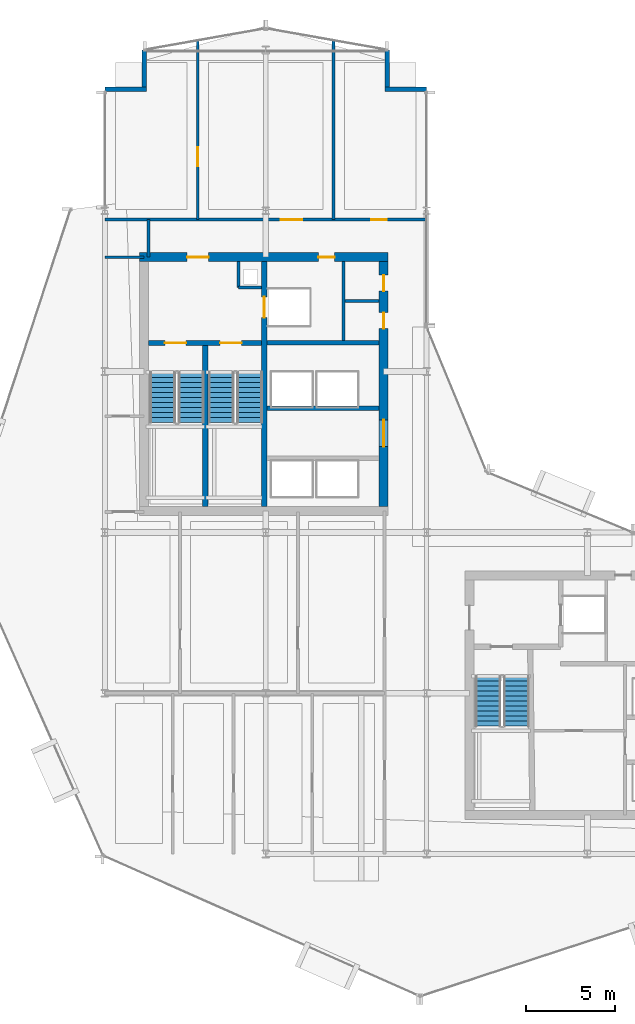
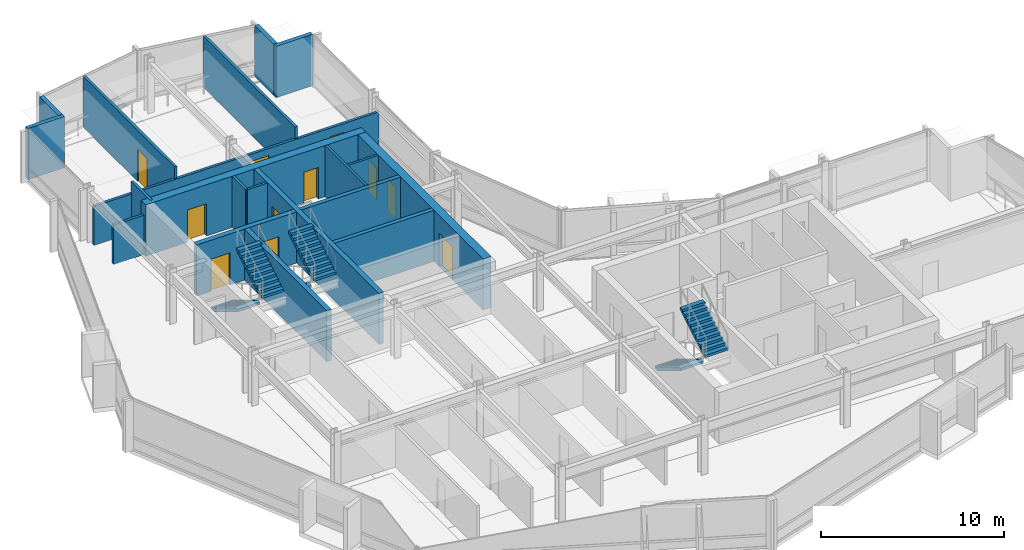
# One storey, part 23 of 28: 20 walls, 11 doors, 6 stair flights, 11 openings, 3 elements without a shape of their own.
"""IFC4 building model written with IfcOpenShell, lengths in metres."""

from ifc_helpers import new_model, si_unit, direction, frame, frame_2d, origin, place, context, subcontext, project, spatial, polyline, rectangle, outline, extrude, material, layer, layer_set, type_object, element, fill, aggregate, save


model = new_model("IFC4")

# Units and contexts
model_context = context("Model", 3, precision=1e-05, world=origin(), true_north=direction((0.0, 1.0)))
body_context = subcontext(model_context, "Body", "Model", "MODEL_VIEW")
ifc_project = project(units=[si_unit("LENGTHUNIT", "METRE"), si_unit("AREAUNIT", "SQUARE_METRE"), si_unit("VOLUMEUNIT", "CUBIC_METRE"), si_unit("PLANEANGLEUNIT", "RADIAN"), si_unit("MASSUNIT", "GRAM", prefix="KILO")], contexts=[model_context])

# Site, building, storey
site_placement = place(None, origin())
site = spatial("IfcSite", under=ifc_project, at=site_placement, CompositionType="ELEMENT")
building_placement = place(site_placement, origin())
building = spatial("IfcBuilding", under=site, at=building_placement, Name="Solvaryn Broadcast Tower", CompositionType="ELEMENT")
storey_placement = place(building_placement, frame((0.0, 0.0, 158.10009765625)))
storey = spatial("IfcBuildingStorey", under=building, at=storey_placement, Name="L39", CompositionType="ELEMENT", Elevation=158.10009765625)

# Wall, openings, doors
ifc_material_1 = material(Name="Concrete f'c 70 MPa", Category="concrete")
ifc_layer_1 = layer(ifc_material_1, 0.5)
ifc_layer_set_1 = layer_set([ifc_layer_1], Name="CW-SHEAR-500")
wall_type_1 = type_object("IfcWallType", Name="CW-SHEAR-500", PredefinedType="SHEAR", material=ifc_layer_set_1)
wall_1_placement = place(storey_placement, frame((24.85009765625, 42.39990234375, 0.0), z_axis=(0.0, 0.0, 1.0), x_axis=(-1.0, 0.0, 0.0)))
wall_1 = element("IfcWall", 1, at=wall_1_placement, inside=storey, type_object=wall_type_1, Name="L39 West Core North Shear Wall", PredefinedType="SHEAR", context=body_context, shape_type="SweptSolid", body=[
    extrude(rectangle(XDim=13.900146484375, YDim=0.5, at=frame_2d((6.9501953125, 0.0))), origin(), (0.0, 0.0, 1.0), 3.419921875),
])
opening_1_placement = place(wall_1_placement, frame((10.050048828125, 0.0, 0.0)))
opening_1 = element("IfcOpeningElement", 2, at=opening_1_placement, cuts=wall_1, Name="Opening FD90A", PredefinedType="OPENING", context=body_context, shape_type="SweptSolid", body=[
    extrude(rectangle(XDim=1.199951171875, YDim=2.14990234375, at=frame_2d((0.60009765625, 1.074951171875))), frame((0.0, 0.260009765625, 0.0), z_axis=(0.0, -1.0, 0.0), x_axis=(1.0, 0.0, 0.0)), (0.0, 0.0, 1.0), 0.52001953125),
])
opening_2_placement = place(wall_1_placement, frame((3.0, 0.0, 0.0)))
opening_2 = element("IfcOpeningElement", 3, at=opening_2_placement, cuts=wall_1, Name="Opening FD60C", PredefinedType="OPENING", context=body_context, shape_type="SweptSolid", body=[
    extrude(rectangle(XDim=0.89990234375, YDim=2.10009765625, at=frame_2d((0.449951171875, 1.050048828125))), frame((0.0, 0.260009765625, 0.0), z_axis=(0.0, -1.0, 0.0), x_axis=(1.0, 0.0, 0.0)), (0.0, 0.0, 1.0), 0.52001953125),
])
ifc_material_2 = material(Name="Flush Acoustic Steel and Timber Door Assembly", Category="steel")
door_type_1 = type_object("IfcDoorType", Name="FD60-SERV-900X2100", OperationType="NOTDEFINED", PredefinedType="DOOR", material=ifc_material_2)
door_1_placement = place(opening_2_placement, origin())
door_1 = element("IfcDoor", 4, at=door_1_placement, inside=storey, type_object=door_type_1, Name="L39 West Core Fiber Riser Door", OperationType="SINGLE_SWING_RIGHT", OverallHeight=2.10009765625, OverallWidth=0.89990234375, PredefinedType="DOOR", context=body_context, shape_type="SweptSolid", body=[
    extrude(rectangle(XDim=0.89990234375, YDim=2.10009765625, at=frame_2d((0.449951171875, 1.050048828125))), frame((0.0, 0.02490234375, 0.0), z_axis=(0.0, -1.0, 0.0), x_axis=(1.0, 0.0, 0.0)), (0.0, 0.0, 1.0), 0.050048828125),
])
fill(opening_2, door_1)
ifc_material_3 = material(Name="Flush Acoustic Steel and Timber Door Assembly", Category="steel")
door_type_2 = type_object("IfcDoorType", Name="FD90-STAIR-1200X2150", OperationType="NOTDEFINED", PredefinedType="DOOR", material=ifc_material_3)
door_2_placement = place(opening_1_placement, origin())
door_2 = element("IfcDoor", 5, at=door_2_placement, inside=storey, type_object=door_type_2, Name="L39 West FSAE Lobby Corridor Door", OperationType="SINGLE_SWING_LEFT", OverallHeight=2.14990234375, OverallWidth=1.199951171875, PredefinedType="DOOR", context=body_context, shape_type="SweptSolid", body=[
    extrude(rectangle(XDim=1.199951171875, YDim=2.14990234375, at=frame_2d((0.60009765625, 1.074951171875))), frame((0.0, 0.02490234375, 0.0), z_axis=(0.0, -1.0, 0.0), x_axis=(1.0, 0.0, 0.0)), (0.0, 0.0, 1.0), 0.050048828125),
])
fill(opening_1, door_2)

wall_2_placement = place(storey_placement, frame((24.60009765625, 28.449951171875, 0.0), z_axis=(0.0, 0.0, 1.0), x_axis=(0.0, 1.0, 0.0)))
wall_2 = element("IfcWall", 6, at=wall_2_placement, inside=storey, type_object=wall_type_1, Name="L39 West Core East Shear Wall", PredefinedType="SHEAR", context=body_context, shape_type="SweptSolid", body=[
    extrude(rectangle(XDim=13.699951171875, YDim=0.5, at=frame_2d((6.85009765625, 0.0))), origin(), (0.0, 0.0, 1.0), 3.419921875),
])
opening_3_placement = place(wall_2_placement, frame((3.35009765625, 0.0, 0.0)))
opening_3 = element("IfcOpeningElement", 7, at=opening_3_placement, cuts=wall_2, Name="Opening FD60A", PredefinedType="OPENING", context=body_context, shape_type="SweptSolid", body=[
    extrude(rectangle(XDim=1.5, YDim=2.199951171875, at=frame_2d((0.75, 1.10009765625))), frame((0.0, 0.260009765625, 0.0), z_axis=(0.0, -1.0, 0.0), x_axis=(1.0, 0.0, 0.0)), (0.0, 0.0, 1.0), 0.52001953125),
])
opening_4_placement = place(wall_2_placement, frame((9.949951171875, 0.0, 0.0)))
opening_4 = element("IfcOpeningElement", 8, at=opening_4_placement, cuts=wall_2, Name="Opening FD60C", PredefinedType="OPENING", context=body_context, shape_type="SweptSolid", body=[
    extrude(rectangle(XDim=0.89990234375, YDim=2.10009765625, at=frame_2d((0.449951171875, 1.050048828125))), frame((0.0, 0.260009765625, 0.0), z_axis=(0.0, -1.0, 0.0), x_axis=(1.0, 0.0, 0.0)), (0.0, 0.0, 1.0), 0.52001953125),
])
opening_5_placement = place(wall_2_placement, frame((12.050048828125, 0.0, 0.0)))
opening_5 = element("IfcOpeningElement", 9, at=opening_5_placement, cuts=wall_2, Name="Opening FD60C", PredefinedType="OPENING", context=body_context, shape_type="SweptSolid", body=[
    extrude(rectangle(XDim=0.89990234375, YDim=2.10009765625, at=frame_2d((0.449951171875, 1.050048828125))), frame((0.0, 0.260009765625, 0.0), z_axis=(0.0, -1.0, 0.0), x_axis=(1.0, 0.0, 0.0)), (0.0, 0.0, 1.0), 0.52001953125),
])
ifc_material_4 = material(Name="Flush Acoustic Steel and Timber Door Assembly", Category="steel")
door_type_3 = type_object("IfcDoorType", Name="FD60-CORR-1500X2200", OperationType="NOTDEFINED", PredefinedType="DOOR", material=ifc_material_4)
door_3_placement = place(opening_3_placement, origin())
door_3 = element("IfcDoor", 10, at=door_3_placement, inside=storey, type_object=door_type_3, Name="L39 West Elevator Lobby Corridor Door", OperationType="DOUBLE_DOOR_SINGLE_SWING", OverallHeight=2.199951171875, OverallWidth=1.5, PredefinedType="DOOR", context=body_context, shape_type="SweptSolid", body=[
    extrude(rectangle(XDim=1.5, YDim=2.199951171875, at=frame_2d((0.75, 1.10009765625))), frame((0.0, 0.02490234375, 0.0), z_axis=(0.0, -1.0, 0.0), x_axis=(1.0, 0.0, 0.0)), (0.0, 0.0, 1.0), 0.050048828125),
])
fill(opening_3, door_3)
door_4_placement = place(opening_4_placement, origin())
door_4 = element("IfcDoor", 11, at=door_4_placement, inside=storey, type_object=door_type_1, Name="L39 West Core Service Door 1", OperationType="SINGLE_SWING_LEFT", OverallHeight=2.10009765625, OverallWidth=0.89990234375, PredefinedType="DOOR", context=body_context, shape_type="SweptSolid", body=[
    extrude(rectangle(XDim=0.89990234375, YDim=2.10009765625, at=frame_2d((0.449951171875, 1.050048828125))), frame((0.0, 0.02490234375, 0.0), z_axis=(0.0, -1.0, 0.0), x_axis=(1.0, 0.0, 0.0)), (0.0, 0.0, 1.0), 0.050048828125),
])
fill(opening_4, door_4)
door_5_placement = place(opening_5_placement, origin())
door_5 = element("IfcDoor", 12, at=door_5_placement, inside=storey, type_object=door_type_1, Name="L39 West Core Janitor Door", OperationType="SINGLE_SWING_RIGHT", OverallHeight=2.10009765625, OverallWidth=0.89990234375, PredefinedType="DOOR", context=body_context, shape_type="SweptSolid", body=[
    extrude(rectangle(XDim=0.89990234375, YDim=2.10009765625, at=frame_2d((0.449951171875, 1.050048828125))), frame((0.0, 0.02490234375, 0.0), z_axis=(0.0, -1.0, 0.0), x_axis=(1.0, 0.0, 0.0)), (0.0, 0.0, 1.0), 0.050048828125),
])
fill(opening_5, door_5)

# Walls
ifc_material_5 = material(Name="Concrete f'c 50 MPa", Category="concrete")
ifc_layer_2 = layer(ifc_material_5, 0.260009765625)
ifc_layer_set_2 = layer_set([ifc_layer_2], Name="EW-PIER-260")
wall_type_2 = type_object("IfcWallType", Name="EW-PIER-260", PredefinedType="SOLIDWALL", material=ifc_layer_set_2)
wall_3_placement = place(storey_placement, frame((9.0, 51.800048828125, 0.0), z_axis=(0.0, 0.0, 1.0), x_axis=(1.0, 0.0, 0.0)))
element("IfcWall", 13, at=wall_3_placement, inside=storey, type_object=wall_type_2, Name="L39 Notched Corner Pier Wall NNW1", PredefinedType="SOLIDWALL", context=body_context, shape_type="SweptSolid", body=[
    extrude(rectangle(XDim=2.320068359375, YDim=0.260009765625, at=frame_2d((1.16015625, 0.0))), origin(), (0.0, 0.0, 1.0), 3.419921875),
])
for number, where, z_axis, x_axis, name in (
    (14, (11.199951171875, 51.919921875, 0.0), (0.0, 0.0, 1.0), (0.0, 1.0, 0.0), "L39 Notched Corner Pier Wall NNW2"),
    (15, (24.800048828125, 54.0, 0.0), (0.0, 0.0, 1.0), (0.0, -1.0, 0.0), "L39 Notched Corner Pier Wall NNE1"),
):
    element("IfcWall", number, at=place(storey_placement, frame(where, z_axis=z_axis, x_axis=x_axis)), inside=storey, type_object=wall_type_2, Name=name, PredefinedType="SOLIDWALL", context=body_context, shape_type="SweptSolid", body=[
        extrude(rectangle(XDim=2.080078125, YDim=0.260009765625, at=frame_2d((1.0400390625, 0.0))), origin(), (0.0, 0.0, 1.0), 3.419921875),
    ])
wall_4_placement = place(storey_placement, frame((24.679931640625, 51.800048828125, 0.0), z_axis=(0.0, 0.0, 1.0), x_axis=(1.0, 0.0, 0.0)))
element("IfcWall", 16, at=wall_4_placement, inside=storey, type_object=wall_type_2, Name="L39 Notched Corner Pier Wall NNE2", PredefinedType="SOLIDWALL", context=body_context, shape_type="SweptSolid", body=[
    extrude(rectangle(XDim=2.320068359375, YDim=0.260009765625, at=frame_2d((1.16015625, 0.0))), origin(), (0.0, 0.0, 1.0), 3.419921875),
])
ifc_material_6 = material(Name="Metal-Stud Service Core Partition")
ifc_layer_3 = layer(ifc_material_6, 0.14990234375)
ifc_layer_set_3 = layer_set([ifc_layer_3], Name="IW-PART-150")
wall_type_3 = type_object("IfcWallType", Name="IW-PART-150", PredefinedType="PARTITIONING", material=ifc_layer_set_3)
wall_5_placement = place(storey_placement, frame((16.47998046875, 40.699951171875, 0.0), z_axis=(0.0, 0.0, 1.0), x_axis=(1.0, 0.0, 0.0)))
element("IfcWall", 17, at=wall_5_placement, inside=storey, type_object=wall_type_3, Name="L39 West Core Riser Shaft South Wall", PredefinedType="PARTITIONING", context=body_context, shape_type="SweptSolid", body=[
    extrude(rectangle(XDim=1.2900390625, YDim=0.14990234375, at=frame_2d((0.64501953125, 0.0))), origin(), (0.0, 0.0, 1.0), 3.419921875),
])
wall_6_placement = place(storey_placement, frame((16.47998046875, 40.699951171875, 0.0), z_axis=(0.0, 0.0, 1.0), x_axis=(0.0, 1.0, 0.0)))
element("IfcWall", 18, at=wall_6_placement, inside=storey, type_object=wall_type_3, Name="L39 West Core Riser Shaft West Wall", PredefinedType="PARTITIONING", context=body_context, shape_type="SweptSolid", body=[
    extrude(rectangle(XDim=1.449951171875, YDim=0.14990234375, at=frame_2d((0.72509765625, 0.0))), origin(), (0.0, 0.0, 1.0), 3.419921875),
])
wall_7_placement = place(storey_placement, frame((22.35009765625, 37.72998046875, 0.0), z_axis=(0.0, 0.0, 1.0), x_axis=(0.0, 1.0, 0.0)))
element("IfcWall", 19, at=wall_7_placement, inside=storey, type_object=wall_type_3, Name="L39 Interior Partition IW-L39-CWS-V", PredefinedType="PARTITIONING", context=body_context, shape_type="SweptSolid", body=[
    extrude(rectangle(XDim=4.419921875, YDim=0.14990234375, at=frame_2d((2.2099609375, 0.0))), origin(), (0.0, 0.0, 1.0), 3.419921875),
])
wall_8_placement = place(storey_placement, frame((22.429931640625, 39.949951171875, 0.0), z_axis=(0.0, 0.0, 1.0), x_axis=(1.0, 0.0, 0.0)))
element("IfcWall", 20, at=wall_8_placement, inside=storey, type_object=wall_type_3, Name="L39 Interior Partition IW-L39-CWS-H", PredefinedType="PARTITIONING", context=body_context, shape_type="SweptSolid", body=[
    extrude(rectangle(XDim=1.920166015625, YDim=0.14990234375, at=frame_2d((0.9599609375, 0.0))), origin(), (0.0, 0.0, 1.0), 3.419921875),
])
ifc_material_7 = material(Name="Metal-Stud Gypsum Office Partition")
ifc_layer_4 = layer(ifc_material_7, 0.159912109375)
ifc_layer_set_4 = layer_set([ifc_layer_4], Name="IW-PART-160")
wall_type_4 = type_object("IfcWallType", Name="IW-PART-160", PredefinedType="PARTITIONING", material=ifc_layer_set_4)
wall_9_placement = place(storey_placement, frame((9.0, 42.39990234375, 0.0), z_axis=(0.0, 0.0, 1.0), x_axis=(1.0, 0.0, 0.0)))
element("IfcWall", 21, at=wall_9_placement, inside=storey, type_object=wall_type_4, Name="L39 Interior Partition IW-L39-WM-N", PredefinedType="PARTITIONING", context=body_context, shape_type="SweptSolid", body=[
    extrude(rectangle(XDim=2.199951171875, YDim=0.159912109375, at=frame_2d((1.10009765625, 0.0))), origin(), (0.0, 0.0, 1.0), 2.6337890625),
])
wall_10_placement = place(storey_placement, frame((11.449951171875, 42.39990234375, 0.0), z_axis=(0.0, 0.0, 1.0), x_axis=(0.0, 1.0, 0.0)))
element("IfcWall", 22, at=wall_10_placement, inside=storey, type_object=wall_type_4, Name="L39 Interior Partition IW-L39-WM-E", PredefinedType="PARTITIONING", context=body_context, shape_type="SweptSolid", body=[
    extrude(rectangle(XDim=2.10009765625, YDim=0.159912109375, at=frame_2d((1.050048828125, 0.0))), origin(), (0.0, 0.0, 1.0), 3.419921875),
])

# Wall, openings, doors
wall_11_placement = place(storey_placement, frame((9.0, 44.5, 0.0), z_axis=(0.0, 0.0, 1.0), x_axis=(1.0, 0.0, 0.0)))
wall_11 = element("IfcWall", 23, at=wall_11_placement, inside=storey, type_object=wall_type_4, Name="L39 Interior Partition IW-L39-NW-SB", PredefinedType="PARTITIONING", context=body_context, shape_type="SweptSolid", body=[
    extrude(rectangle(XDim=18.0, YDim=0.159912109375, at=frame_2d((9.0, 0.0))), origin(), (0.0, 0.0, 1.0), 2.6337890625),
])
opening_6_placement = place(wall_11_placement, frame((9.85009765625, 0.0, 0.0)))
opening_6 = element("IfcOpeningElement", 24, at=opening_6_placement, cuts=wall_11, Name="Opening ID04", PredefinedType="OPENING", context=body_context, shape_type="SweptSolid", body=[
    extrude(rectangle(XDim=1.199951171875, YDim=2.14990234375, at=frame_2d((0.60009765625, 1.074951171875))), frame((0.0, 0.090087890625, 0.0), z_axis=(0.0, -1.0, 0.0), x_axis=(1.0, 0.0, 0.0)), (0.0, 0.0, 1.0), 0.179931640625),
])
opening_7_placement = place(wall_11_placement, frame((14.89990234375, 0.0, 0.0)))
opening_7 = element("IfcOpeningElement", 25, at=opening_7_placement, cuts=wall_11, Name="Opening ID07", PredefinedType="OPENING", context=body_context, shape_type="SweptSolid", body=[
    extrude(rectangle(XDim=0.860107421875, YDim=2.050048828125, at=frame_2d((0.43017578125, 1.02490234375))), frame((0.0, 0.090087890625, 0.0), z_axis=(0.0, -1.0, 0.0), x_axis=(1.0, 0.0, 0.0)), (0.0, 0.0, 1.0), 0.179931640625),
])
ifc_material_8 = material(Name="Flush Acoustic Steel and Timber Door Assembly", Category="steel")
door_type_4 = type_object("IfcDoorType", Name="ID-04-1200X2150", OperationType="NOTDEFINED", PredefinedType="DOOR", material=ifc_material_8)
door_6_placement = place(opening_6_placement, origin())
door_6 = element("IfcDoor", 26, at=door_6_placement, inside=storey, type_object=door_type_4, Name="L39 Door DR-L39-NW-2", OperationType="SINGLE_SWING_RIGHT", OverallHeight=2.14990234375, OverallWidth=1.199951171875, PredefinedType="DOOR", context=body_context, shape_type="SweptSolid", body=[
    extrude(rectangle(XDim=1.199951171875, YDim=2.14990234375, at=frame_2d((0.60009765625, 1.074951171875))), frame((0.0, 0.02490234375, 0.0), z_axis=(0.0, -1.0, 0.0), x_axis=(1.0, 0.0, 0.0)), (0.0, 0.0, 1.0), 0.050048828125),
])
fill(opening_6, door_6)
ifc_material_9 = material(Name="Flush Acoustic Steel and Timber Door Assembly", Category="steel")
door_type_5 = type_object("IfcDoorType", Name="ID-07-860X2050", OperationType="NOTDEFINED", PredefinedType="DOOR", material=ifc_material_9)
door_7_placement = place(opening_7_placement, origin())
door_7 = element("IfcDoor", 27, at=door_7_placement, inside=storey, type_object=door_type_5, Name="L39 Door DR-L39-NW-3", OperationType="SINGLE_SWING_LEFT", OverallHeight=2.050048828125, OverallWidth=0.860107421875, PredefinedType="DOOR", context=body_context, shape_type="SweptSolid", body=[
    extrude(rectangle(XDim=0.860107421875, YDim=2.050048828125, at=frame_2d((0.43017578125, 1.02490234375))), frame((0.0, 0.02490234375, 0.0), z_axis=(0.0, -1.0, 0.0), x_axis=(1.0, 0.0, 0.0)), (0.0, 0.0, 1.0), 0.050048828125),
])
fill(opening_7, door_7)

# Wall, opening, door
wall_12_placement = place(storey_placement, frame((14.199951171875, 44.5, 0.0), z_axis=(0.0, 0.0, 1.0), x_axis=(0.0, 1.0, 0.0)))
wall_12 = element("IfcWall", 28, at=wall_12_placement, inside=storey, type_object=wall_type_4, Name="L39 Interior Partition IW-L39-NW-V1", PredefinedType="PARTITIONING", context=body_context, shape_type="SweptSolid", body=[
    extrude(rectangle(XDim=10.029052734375, YDim=0.159912109375, at=frame_2d((5.0146484375, 0.0))), origin(), (0.0, 0.0, 1.0), 3.419921875),
])
opening_8_placement = place(wall_12_placement, frame((3.0, 0.0, 0.0)))
opening_8 = element("IfcOpeningElement", 29, at=opening_8_placement, cuts=wall_12, Name="Opening ID03", PredefinedType="OPENING", context=body_context, shape_type="SweptSolid", body=[
    extrude(rectangle(XDim=1.050048828125, YDim=2.14990234375, at=frame_2d((0.52490234375, 1.074951171875))), frame((0.0, 0.090087890625, 0.0), z_axis=(0.0, -1.0, 0.0), x_axis=(1.0, 0.0, 0.0)), (0.0, 0.0, 1.0), 0.179931640625),
])
ifc_material_10 = material(Name="Flush Acoustic Steel and Timber Door Assembly", Category="steel")
door_type_6 = type_object("IfcDoorType", Name="ID-03-1050X2150", OperationType="NOTDEFINED", PredefinedType="DOOR", material=ifc_material_10)
door_8_placement = place(opening_8_placement, origin())
door_8 = element("IfcDoor", 30, at=door_8_placement, inside=storey, type_object=door_type_6, Name="L39 Door DR-L39-NW-C1", OperationType="SINGLE_SWING_LEFT", OverallHeight=2.14990234375, OverallWidth=1.050048828125, PredefinedType="DOOR", context=body_context, shape_type="SweptSolid", body=[
    extrude(rectangle(XDim=1.050048828125, YDim=2.14990234375, at=frame_2d((0.52490234375, 1.074951171875))), frame((0.0, 0.02490234375, 0.0), z_axis=(0.0, -1.0, 0.0), x_axis=(1.0, 0.0, 0.0)), (0.0, 0.0, 1.0), 0.050048828125),
])
fill(opening_8, door_8)

# Walls
wall_13_placement = place(storey_placement, frame((21.800048828125, 44.5, 0.0), z_axis=(0.0, 0.0, 1.0), x_axis=(0.0, 1.0, 0.0)))
element("IfcWall", 31, at=wall_13_placement, inside=storey, type_object=wall_type_4, Name="L39 Interior Partition IW-L39-NW-V2", PredefinedType="PARTITIONING", context=body_context, shape_type="SweptSolid", body=[
    extrude(rectangle(XDim=10.029052734375, YDim=0.159912109375, at=frame_2d((5.0146484375, 0.0))), origin(), (0.0, 0.0, 1.0), 3.419921875),
])
ifc_material_11 = material(Name="Concrete f'c 60 MPa", Category="concrete")
ifc_layer_5 = layer(ifc_material_11, 0.25)
ifc_layer_set_5 = layer_set([ifc_layer_5], Name="SW-SHAFT-250")
wall_type_5 = type_object("IfcWallType", Name="SW-SHAFT-250", PredefinedType="PARTITIONING", material=ifc_layer_set_5)
for number, where, z_axis, x_axis, name in (
    (32, (18.070068359375, 37.60009765625, 0.0), (0.0, 0.0, 1.0), (1.0, 0.0, 0.0), "L39 West Core FSAE Hoistway Front Wall"),
    (33, (24.35009765625, 33.949951171875, 0.0), (0.0, 0.0, 1.0), (-1.0, 0.0, 0.0), "L39 High-Rise Lift Bank North Wall"),
):
    element("IfcWall", number, at=place(storey_placement, frame(where, z_axis=z_axis, x_axis=x_axis)), inside=storey, type_object=wall_type_5, Name=name, PredefinedType="PARTITIONING", context=body_context, shape_type="SweptSolid", body=[
        extrude(rectangle(XDim=6.280029296875, YDim=0.25, at=frame_2d((3.14013671875, 0.0))), origin(), (0.0, 0.0, 1.0), 3.419921875),
    ])
ifc_material_12 = material(Name="Concrete f'c 70 MPa", Category="concrete")
ifc_layer_6 = layer(ifc_material_12, 0.300048828125)
ifc_layer_set_6 = layer_set([ifc_layer_6], Name="SW-SHAFT-300")
wall_type_6 = type_object("IfcWallType", Name="SW-SHAFT-300", PredefinedType="SHEAR", material=ifc_layer_set_6)
wall_14_placement = place(storey_placement, frame((14.6201171875, 28.449951171875, 0.0), z_axis=(0.0, 0.0, 1.0), x_axis=(0.0, 1.0, 0.0)))
element("IfcWall", 34, at=wall_14_placement, inside=storey, type_object=wall_type_6, Name="L39 Stair 1-2 Dividing Wall", PredefinedType="SHEAR", context=body_context, shape_type="SweptSolid", body=[
    extrude(rectangle(XDim=9.0, YDim=0.300048828125, at=frame_2d((4.5, 0.0))), origin(), (0.0, 0.0, 1.0), 3.419921875),
])

# Wall, opening, door
wall_15_placement = place(storey_placement, frame((17.919921875, 42.14990234375, 0.0), z_axis=(0.0, 0.0, 1.0), x_axis=(0.0, -1.0, 0.0)))
wall_15 = element("IfcWall", 35, at=wall_15_placement, inside=storey, type_object=wall_type_6, Name="L39 West Core Stair-Lobby Shear Wall", PredefinedType="SHEAR", context=body_context, shape_type="SweptSolid", body=[
    extrude(rectangle(XDim=13.699951171875, YDim=0.300048828125, at=frame_2d((6.85009765625, 0.0))), origin(), (0.0, 0.0, 1.0), 3.419921875),
])
opening_9_placement = place(wall_15_placement, frame((1.97509765625, 0.0, 0.0)))
opening_9 = element("IfcOpeningElement", 36, at=opening_9_placement, cuts=wall_15, Name="Opening LD01", PredefinedType="OPENING", context=body_context, shape_type="SweptSolid", body=[
    extrude(rectangle(XDim=1.14990234375, YDim=2.14990234375, at=frame_2d((0.574951171875, 1.074951171875))), frame((0.0, 0.159912109375, 0.0), z_axis=(0.0, -1.0, 0.0), x_axis=(1.0, 0.0, 0.0)), (0.0, 0.0, 1.0), 0.320068359375),
])
ifc_material_13 = material(Name="Flush Acoustic Steel and Timber Door Assembly", Category="steel")
door_type_7 = type_object("IfcDoorType", Name="LD-LIFT-1150X2150", OperationType="NOTDEFINED", PredefinedType="DOOR", material=ifc_material_13)
door_9_placement = place(opening_9_placement, origin())
door_9 = element("IfcDoor", 37, at=door_9_placement, inside=storey, type_object=door_type_7, Name="L39 FL1 Lift Landing Door", OperationType="DOUBLE_DOOR_SLIDING", OverallHeight=2.14990234375, OverallWidth=1.14990234375, PredefinedType="DOOR", context=body_context, shape_type="SweptSolid", body=[
    extrude(rectangle(XDim=1.14990234375, YDim=2.14990234375, at=frame_2d((0.574951171875, 1.074951171875))), frame((0.0, 0.02490234375, 0.0), z_axis=(0.0, -1.0, 0.0), x_axis=(1.0, 0.0, 0.0)), (0.0, 0.0, 1.0), 0.050048828125),
])
fill(opening_9, door_9)

# Wall, openings, doors
wall_16_placement = place(storey_placement, frame((17.77001953125, 37.60009765625, 0.0), z_axis=(0.0, 0.0, 1.0), x_axis=(-1.0, 0.0, 0.0)))
wall_16 = element("IfcWall", 38, at=wall_16_placement, inside=storey, type_object=wall_type_6, Name="L39 West Core FSAE Lobby South Wall", PredefinedType="SHEAR", context=body_context, shape_type="SweptSolid", body=[
    extrude(rectangle(XDim=6.320068359375, YDim=0.300048828125, at=frame_2d((3.16015625, 0.0))), origin(), (0.0, 0.0, 1.0), 3.419921875),
])
opening_10_placement = place(wall_16_placement, frame((4.219970703125, 0.0, 0.0)))
opening_10 = element("IfcOpeningElement", 39, at=opening_10_placement, cuts=wall_16, Name="Opening FD90A", PredefinedType="OPENING", context=body_context, shape_type="SweptSolid", body=[
    extrude(rectangle(XDim=1.199951171875, YDim=2.14990234375, at=frame_2d((0.60009765625, 1.074951171875))), frame((0.0, 0.159912109375, 0.0), z_axis=(0.0, -1.0, 0.0), x_axis=(1.0, 0.0, 0.0)), (0.0, 0.0, 1.0), 0.320068359375),
])
opening_11_placement = place(wall_16_placement, frame((1.1201171875, 0.0, 0.0)))
opening_11 = element("IfcOpeningElement", 40, at=opening_11_placement, cuts=wall_16, Name="Opening FD90A", PredefinedType="OPENING", context=body_context, shape_type="SweptSolid", body=[
    extrude(rectangle(XDim=1.199951171875, YDim=2.14990234375, at=frame_2d((0.60009765625, 1.074951171875))), frame((0.0, 0.159912109375, 0.0), z_axis=(0.0, -1.0, 0.0), x_axis=(1.0, 0.0, 0.0)), (0.0, 0.0, 1.0), 0.320068359375),
])
door_10_placement = place(opening_10_placement, origin())
door_10 = element("IfcDoor", 41, at=door_10_placement, inside=storey, type_object=door_type_2, Name="L39 Stair 1 Fire Door", OperationType="SINGLE_SWING_LEFT", OverallHeight=2.14990234375, OverallWidth=1.199951171875, PredefinedType="DOOR", context=body_context, shape_type="SweptSolid", body=[
    extrude(rectangle(XDim=1.199951171875, YDim=2.14990234375, at=frame_2d((0.60009765625, 1.074951171875))), frame((0.0, 0.02490234375, 0.0), z_axis=(0.0, -1.0, 0.0), x_axis=(1.0, 0.0, 0.0)), (0.0, 0.0, 1.0), 0.050048828125),
])
fill(opening_10, door_10)
door_11_placement = place(opening_11_placement, origin())
door_11 = element("IfcDoor", 42, at=door_11_placement, inside=storey, type_object=door_type_2, Name="L39 Stair 2 Fire Door", OperationType="SINGLE_SWING_RIGHT", OverallHeight=2.14990234375, OverallWidth=1.199951171875, PredefinedType="DOOR", context=body_context, shape_type="SweptSolid", body=[
    extrude(rectangle(XDim=1.199951171875, YDim=2.14990234375, at=frame_2d((0.60009765625, 1.074951171875))), frame((0.0, 0.02490234375, 0.0), z_axis=(0.0, -1.0, 0.0), x_axis=(1.0, 0.0, 0.0)), (0.0, 0.0, 1.0), 0.050048828125),
])
fill(opening_11, door_11)

# Stair, stair flights
ifc_material_14 = material(Name="Concrete f'c 60 MPa", Category="concrete")
stair_type = type_object("IfcStairType", Name="ST-CORE", PredefinedType="HALF_TURN_STAIR", material=ifc_material_14)
stair_1_placement = place(storey_placement, origin())
stair_1 = element("IfcStair", 43, at=stair_1_placement, inside=storey, type_object=stair_type, Name="L39 ST1", PredefinedType="HALF_TURN_STAIR")
ifc_material_15 = material(Name="Concrete f'c 60 MPa", Category="concrete")
ifc_layer_7 = layer(ifc_material_15, 0.159912109375)
ifc_layer_set_7 = layer_set([ifc_layer_7], Name="SF-CORE")
stair_flight_type = type_object("IfcStairFlightType", Name="SF-CORE", PredefinedType="STRAIGHT", material=ifc_layer_set_7)
stair_flight_1_placement = place(storey_placement, frame((12.239990234375, 35.9599609375, 0.0), z_axis=(0.0, 0.0, 1.0), x_axis=(0.0, -1.0, 0.0)))
stair_flight_1 = element("IfcStairFlight", 44, at=stair_flight_1_placement, type_object=stair_flight_type, Name="ST1 flight 1", NumberOfRisers=11, NumberOfTreads=10, PredefinedType="STRAIGHT", RiserHeight=0.168181818, TreadLength=0.28, context=body_context, shape_type="SweptSolid", body=[
    extrude(outline(polyline([(0.0, 0.0), (0.0, 0.168212890625), (0.280029296875, 0.168212890625), (0.280029296875, 0.33642578125), (0.56005859375, 0.33642578125), (0.56005859375, 0.504638671875), (0.840087890625, 0.504638671875), (0.840087890625, 0.672607421875), (1.1201171875, 0.672607421875), (1.1201171875, 0.8408203125), (1.39990234375, 0.8408203125), (1.39990234375, 1.009033203125), (1.679931640625, 1.009033203125), (1.679931640625, 1.17724609375), (1.9599609375, 1.17724609375), (1.9599609375, 1.345458984375), (2.239990234375, 1.345458984375), (2.239990234375, 1.513671875), (2.52001953125, 1.513671875), (2.52001953125, 1.681884765625), (2.800048828125, 1.681884765625), (2.800048828125, 1.85009765625), (2.800048828125, 1.5068359375), (0.291015625, 0.0), (0.0, 0.0)])), frame((0.0, 0.719970703125, 0.0), z_axis=(0.0, -1.0, 0.0), x_axis=(1.0, 0.0, 0.0)), (0.0, 0.0, 1.0), 1.43994140625),
])
stair_flight_2_placement = place(storey_placement, frame((13.830078125, 33.159912109375, 1.849853515625), z_axis=(0.0, 0.0, 1.0), x_axis=(0.0, 1.0, 0.0)))
stair_flight_2 = element("IfcStairFlight", 45, at=stair_flight_2_placement, type_object=stair_flight_type, Name="ST1 flight 2", NumberOfRisers=11, NumberOfTreads=10, PredefinedType="STRAIGHT", RiserHeight=0.168181818, TreadLength=0.28, context=body_context, shape_type="SweptSolid", body=[
    extrude(outline(polyline([(0.0, 0.0), (0.0, 0.168212890625), (0.280029296875, 0.168212890625), (0.280029296875, 0.33642578125), (0.56005859375, 0.33642578125), (0.56005859375, 0.504638671875), (0.840087890625, 0.504638671875), (0.840087890625, 0.672607421875), (1.1201171875, 0.672607421875), (1.1201171875, 0.8408203125), (1.39990234375, 0.8408203125), (1.39990234375, 1.009033203125), (1.679931640625, 1.009033203125), (1.679931640625, 1.17724609375), (1.9599609375, 1.17724609375), (1.9599609375, 1.345458984375), (2.239990234375, 1.345458984375), (2.239990234375, 1.513671875), (2.52001953125, 1.513671875), (2.52001953125, 1.681884765625), (2.800048828125, 1.681884765625), (2.800048828125, 1.85009765625), (2.800048828125, 1.5068359375), (0.291015625, 0.0), (0.0, 0.0)])), frame((0.0, 0.719970703125, 0.0), z_axis=(0.0, -1.0, 0.0), x_axis=(1.0, 0.0, 0.0)), (0.0, 0.0, 1.0), 1.43994140625),
])
aggregate(stair_1, [stair_flight_1, stair_flight_2])

stair_2_placement = place(storey_placement, origin())
stair_2 = element("IfcStair", 46, at=stair_2_placement, inside=storey, type_object=stair_type, Name="L39 ST2", PredefinedType="HALF_TURN_STAIR")
stair_flight_3_placement = place(storey_placement, frame((15.52001953125, 35.9599609375, 0.0), z_axis=(0.0, 0.0, 1.0), x_axis=(0.0, -1.0, 0.0)))
stair_flight_3 = element("IfcStairFlight", 47, at=stair_flight_3_placement, type_object=stair_flight_type, Name="ST2 flight 1", NumberOfRisers=11, NumberOfTreads=10, PredefinedType="STRAIGHT", RiserHeight=0.168181818, TreadLength=0.28, context=body_context, shape_type="SweptSolid", body=[
    extrude(outline(polyline([(0.0, 0.0), (0.0, 0.168212890625), (0.280029296875, 0.168212890625), (0.280029296875, 0.33642578125), (0.56005859375, 0.33642578125), (0.56005859375, 0.504638671875), (0.840087890625, 0.504638671875), (0.840087890625, 0.672607421875), (1.1201171875, 0.672607421875), (1.1201171875, 0.8408203125), (1.39990234375, 0.8408203125), (1.39990234375, 1.009033203125), (1.679931640625, 1.009033203125), (1.679931640625, 1.17724609375), (1.9599609375, 1.17724609375), (1.9599609375, 1.345458984375), (2.239990234375, 1.345458984375), (2.239990234375, 1.513671875), (2.52001953125, 1.513671875), (2.52001953125, 1.681884765625), (2.800048828125, 1.681884765625), (2.800048828125, 1.85009765625), (2.800048828125, 1.5068359375), (0.291015625, 0.0), (0.0, 0.0)])), frame((0.0, 0.719970703125, 0.0), z_axis=(0.0, -1.0, 0.0), x_axis=(1.0, 0.0, 0.0)), (0.0, 0.0, 1.0), 1.43994140625),
])
stair_flight_4_placement = place(storey_placement, frame((17.110107421875, 33.159912109375, 1.849853515625), z_axis=(0.0, 0.0, 1.0), x_axis=(0.0, 1.0, 0.0)))
stair_flight_4 = element("IfcStairFlight", 48, at=stair_flight_4_placement, type_object=stair_flight_type, Name="ST2 flight 2", NumberOfRisers=11, NumberOfTreads=10, PredefinedType="STRAIGHT", RiserHeight=0.168181818, TreadLength=0.28, context=body_context, shape_type="SweptSolid", body=[
    extrude(outline(polyline([(0.0, 0.0), (0.0, 0.168212890625), (0.280029296875, 0.168212890625), (0.280029296875, 0.33642578125), (0.56005859375, 0.33642578125), (0.56005859375, 0.504638671875), (0.840087890625, 0.504638671875), (0.840087890625, 0.672607421875), (1.1201171875, 0.672607421875), (1.1201171875, 0.8408203125), (1.39990234375, 0.8408203125), (1.39990234375, 1.009033203125), (1.679931640625, 1.009033203125), (1.679931640625, 1.17724609375), (1.9599609375, 1.17724609375), (1.9599609375, 1.345458984375), (2.239990234375, 1.345458984375), (2.239990234375, 1.513671875), (2.52001953125, 1.513671875), (2.52001953125, 1.681884765625), (2.800048828125, 1.681884765625), (2.800048828125, 1.85009765625), (2.800048828125, 1.5068359375), (0.291015625, 0.0), (0.0, 0.0)])), frame((0.0, 0.719970703125, 0.0), z_axis=(0.0, -1.0, 0.0), x_axis=(1.0, 0.0, 0.0)), (0.0, 0.0, 1.0), 1.43994140625),
])
aggregate(stair_2, [stair_flight_3, stair_flight_4])

stair_3_placement = place(storey_placement, origin())
stair_3 = element("IfcStair", 49, at=stair_3_placement, inside=storey, type_object=stair_type, Name="L39 ST3", PredefinedType="HALF_TURN_STAIR")
stair_flight_5_placement = place(storey_placement, frame((30.43994140625, 18.9599609375, 0.0), z_axis=(0.0, 0.0, 1.0), x_axis=(0.0, -1.0, 0.0)))
stair_flight_5 = element("IfcStairFlight", 50, at=stair_flight_5_placement, type_object=stair_flight_type, Name="ST3 flight 1", NumberOfRisers=11, NumberOfTreads=10, PredefinedType="STRAIGHT", RiserHeight=0.168181818, TreadLength=0.28, context=body_context, shape_type="SweptSolid", body=[
    extrude(outline(polyline([(0.0, 0.0), (0.0, 0.168212890625), (0.280029296875, 0.168212890625), (0.280029296875, 0.33642578125), (0.56005859375, 0.33642578125), (0.56005859375, 0.504638671875), (0.840087890625, 0.504638671875), (0.840087890625, 0.672607421875), (1.1201171875, 0.672607421875), (1.1201171875, 0.8408203125), (1.39990234375, 0.8408203125), (1.39990234375, 1.009033203125), (1.679931640625, 1.009033203125), (1.679931640625, 1.17724609375), (1.9599609375, 1.17724609375), (1.9599609375, 1.345458984375), (2.239990234375, 1.345458984375), (2.239990234375, 1.513671875), (2.52001953125, 1.513671875), (2.52001953125, 1.681884765625), (2.800048828125, 1.681884765625), (2.800048828125, 1.85009765625), (2.800048828125, 1.5068359375), (0.291015625, 0.0), (0.0, 0.0)])), frame((0.0, 0.719970703125, 0.0), z_axis=(0.0, -1.0, 0.0), x_axis=(1.0, 0.0, 0.0)), (0.0, 0.0, 1.0), 1.43994140625),
])
stair_flight_6_placement = place(storey_placement, frame((32.030029296875, 16.159912109375, 1.849853515625), z_axis=(0.0, 0.0, 1.0), x_axis=(0.0, 1.0, 0.0)))
stair_flight_6 = element("IfcStairFlight", 51, at=stair_flight_6_placement, type_object=stair_flight_type, Name="ST3 flight 2", NumberOfRisers=11, NumberOfTreads=10, PredefinedType="STRAIGHT", RiserHeight=0.168181818, TreadLength=0.28, context=body_context, shape_type="SweptSolid", body=[
    extrude(outline(polyline([(0.0, 0.0), (0.0, 0.168212890625), (0.280029296875, 0.168212890625), (0.280029296875, 0.33642578125), (0.56005859375, 0.33642578125), (0.56005859375, 0.504638671875), (0.840087890625, 0.504638671875), (0.840087890625, 0.672607421875), (1.1201171875, 0.672607421875), (1.1201171875, 0.8408203125), (1.39990234375, 0.8408203125), (1.39990234375, 1.009033203125), (1.679931640625, 1.009033203125), (1.679931640625, 1.17724609375), (1.9599609375, 1.17724609375), (1.9599609375, 1.345458984375), (2.239990234375, 1.345458984375), (2.239990234375, 1.513671875), (2.52001953125, 1.513671875), (2.52001953125, 1.681884765625), (2.800048828125, 1.681884765625), (2.800048828125, 1.85009765625), (2.800048828125, 1.5068359375), (0.291015625, 0.0), (0.0, 0.0)])), frame((0.0, 0.719970703125, 0.0), z_axis=(0.0, -1.0, 0.0), x_axis=(1.0, 0.0, 0.0)), (0.0, 0.0, 1.0), 1.43994140625),
])
aggregate(stair_3, [stair_flight_5, stair_flight_6])

save(model, "model.ifc")
